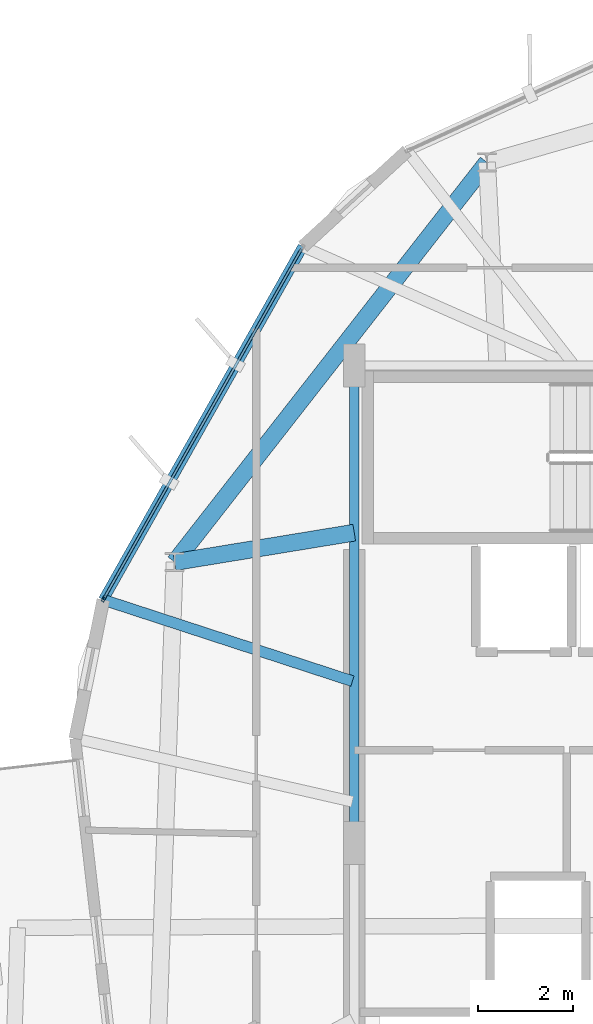
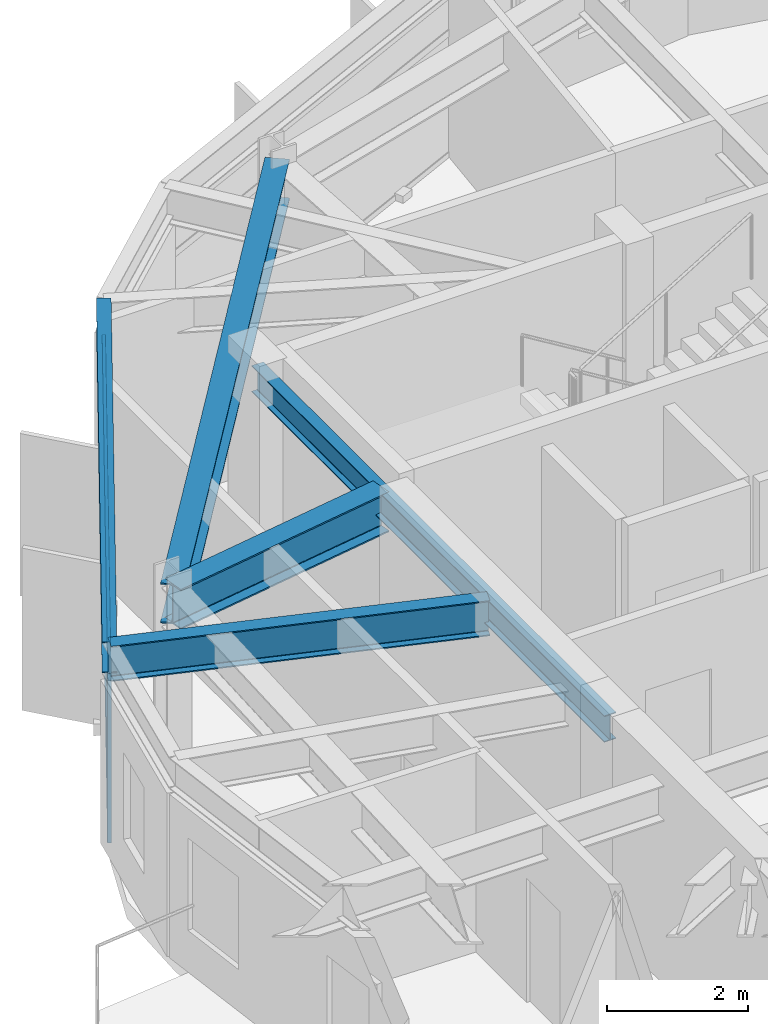
# One storey, part 8 of 23: 5 beams, 4 members, 1 element without a shape of its own.
"""IFC4 building model written with IfcOpenShell, lengths in metres."""

from ifc_helpers import new_model, si_unit, direction, frame, origin, origin_2d, place, context, subcontext, project, spatial, hollow_rectangle, i_section, extrude, material, layer, layer_set, material_profile, profile_set, type_object, element, aggregate, save


model = new_model("IFC4")

# Units and contexts
model_context = context("Model", 3, precision=1e-05, world=origin(), true_north=direction((0.0, 1.0)))
body_context = subcontext(model_context, "Body", "Model", "MODEL_VIEW")
ifc_project = project(units=[si_unit("LENGTHUNIT", "METRE"), si_unit("AREAUNIT", "SQUARE_METRE"), si_unit("VOLUMEUNIT", "CUBIC_METRE"), si_unit("PLANEANGLEUNIT", "RADIAN"), si_unit("MASSUNIT", "GRAM", prefix="KILO")], contexts=[model_context])

# Site, building, storey
site_placement = place(None, origin())
site = spatial("IfcSite", under=ifc_project, at=site_placement, CompositionType="ELEMENT")
building_placement = place(site_placement, origin())
building = spatial("IfcBuilding", under=site, at=building_placement, Name="Soratama Intermodal Tower", CompositionType="ELEMENT")
storey_placement = place(building_placement, frame((0.0, 0.0, 261.25)))
storey = spatial("IfcBuildingStorey", under=building, at=storey_placement, Name="L66", CompositionType="ELEMENT", Elevation=261.25)

# Beams
ifc_material_1 = material(Name="Structural steel ASTM A992 Grade 50", Category="steel")
ifc_material_profile_1 = material_profile(ifc_material_1, i_section(OverallWidth=0.19091796875, OverallDepth=0.4599609375, WebThickness=0.010009765625, FlangeThickness=0.01611328125, FilletRadius=0.010986328125, at=origin_2d()), Name="W18X55")
ifc_profile_set_1 = profile_set([ifc_material_profile_1], Name="Structural steel ASTM A992 Grade 50")
beam_type_1 = type_object("IfcBeamType", Name="BM-FLR-W18X55", PredefinedType="BEAM", material=ifc_profile_set_1)
beam_1_placement = place(storey_placement, frame((32.60009765625, 35.0, 3.219970703125), z_axis=(0.0, -1.0, 0.0), x_axis=(1.0, 0.0, 0.0)))
element("IfcBeam", 1, at=beam_1_placement, inside=storey, type_object=beam_type_1, Name="BM-L66-CRING-08", PredefinedType="BEAM", context=body_context, shape_type="SweptSolid", body=[
    extrude(i_section(OverallWidth=0.19091796875, OverallDepth=0.4599609375, WebThickness=0.010009765625, FlangeThickness=0.01611328125, FilletRadius=0.010986328125, at=origin_2d()), origin(), (0.0, 0.0, 1.0), 10.0),
])
ifc_material_2 = material(Name="Structural steel ASTM A992 Grade 50", Category="steel")
ifc_material_profile_2 = material_profile(ifc_material_2, i_section(OverallWidth=0.35498046875, OverallDepth=0.695068359375, WebThickness=0.015380859375, FlangeThickness=0.02490234375, FilletRadius=0.01611328125, at=origin_2d()), Name="W27X146")
ifc_profile_set_2 = profile_set([ifc_material_profile_2], Name="Structural steel ASTM A992 Grade 50")
beam_type_2 = type_object("IfcBeamType", Name="BM-RING-W27X146", PredefinedType="BEAM", material=ifc_profile_set_2)
beam_2_placement = place(storey_placement, frame((35.382080078125, 39.259033203125, 3.1025390625), z_axis=(-0.6157278291, -0.787958907858, 0.0), x_axis=(0.787958907858, -0.6157278291, 0.0)))
element("IfcBeam", 2, at=beam_2_placement, inside=storey, type_object=beam_type_2, Name="BM-L66-RING-04", PredefinedType="BEAM", context=body_context, shape_type="SweptSolid", body=[
    extrude(i_section(OverallWidth=0.35498046875, OverallDepth=0.695068359375, WebThickness=0.015380859375, FlangeThickness=0.02490234375, FilletRadius=0.01611328125, at=origin_2d()), origin(), (0.0, 0.0, 1.0), 10.6298828125),
])
beam_3_placement = place(storey_placement, frame((32.60009765625, 31.5, 3.1025390625), z_axis=(-0.986826492219, -0.161782181513, 0.0), x_axis=(0.161782181513, -0.986826492219, 0.0)))
element("IfcBeam", 3, at=beam_3_placement, inside=storey, type_object=beam_type_2, Name="BM-L66-RAD-05", PredefinedType="BEAM", context=body_context, shape_type="SweptSolid", body=[
    extrude(i_section(OverallWidth=0.35498046875, OverallDepth=0.695068359375, WebThickness=0.015380859375, FlangeThickness=0.02490234375, FilletRadius=0.01611328125, at=origin_2d()), origin(), (0.0, 0.0, 1.0), 3.8134765625),
])
ifc_material_3 = material(Name="Structural steel ASTM A992 Grade 50", Category="steel")
ifc_material_profile_3 = material_profile(ifc_material_3, i_section(OverallWidth=0.2099609375, OverallDepth=0.537109375, WebThickness=0.010986328125, FlangeThickness=0.017333984375, FilletRadius=0.012939453125, at=origin_2d()), Name="W21X68")
ifc_profile_set_3 = profile_set([ifc_material_profile_3], Name="Structural steel ASTM A992 Grade 50")
beam_type_3 = type_object("IfcBeamType", Name="BM-SPN-W21X68", PredefinedType="SPANDREL", material=ifc_profile_set_3)
beam_4_placement = place(storey_placement, frame((31.52197265625, 37.493896484375, 3.181396484375), z_axis=(-0.491774234703, -0.870722746965, 0.0), x_axis=(0.870722746965, -0.491774234703, 0.0)))
element("IfcBeam", 4, at=beam_4_placement, inside=storey, type_object=beam_type_3, Name="BS-L66-F03", PredefinedType="SPANDREL", context=body_context, shape_type="SweptSolid", body=[
    extrude(i_section(OverallWidth=0.2099609375, OverallDepth=0.537109375, WebThickness=0.010986328125, FlangeThickness=0.017333984375, FilletRadius=0.012939453125, at=origin_2d()), origin(), (0.0, 0.0, 1.0), 8.499755859375),
])
ifc_material_4 = material(Name="Structural steel ASTM A992 Grade 50", Category="steel")
ifc_material_profile_4 = material_profile(ifc_material_4, i_section(OverallWidth=0.22900390625, OverallDepth=0.612060546875, WebThickness=0.011962890625, FlangeThickness=0.01953125, FilletRadius=0.012939453125, at=origin_2d()), Name="W24X84")
ifc_profile_set_4 = profile_set([ifc_material_profile_4], Name="Structural steel ASTM A992 Grade 50")
beam_type_4 = type_object("IfcBeamType", Name="BM-TIE-W24X84", PredefinedType="BEAM", material=ifc_profile_set_4)
beam_5_placement = place(storey_placement, frame((32.56201171875, 28.387939453125, 3.14404296875), z_axis=(-0.950573324613, 0.310500168332, 0.0), x_axis=(-0.310500168332, -0.950573324613, 0.0)))
element("IfcBeam", 5, at=beam_5_placement, inside=storey, type_object=beam_type_4, Name="BM-L66-TIE1-03", PredefinedType="BEAM", context=body_context, shape_type="SweptSolid", body=[
    extrude(i_section(OverallWidth=0.22900390625, OverallDepth=0.612060546875, WebThickness=0.011962890625, FlangeThickness=0.01953125, FilletRadius=0.012939453125, at=origin_2d()), origin(), (0.0, 0.0, 1.0), 5.491455078125),
])

# Curtain wall, members
ifc_material_5 = material(Name="Double-glazed aluminium curtain wall", Category="aluminium")
ifc_layer = layer(ifc_material_5, 0.159912109375)
ifc_layer_set = layer_set([ifc_layer], Name="Double-glazed aluminium curtain wall")
curtain_wall_type = type_object("IfcCurtainWallType", Name="CW-SYS-5", PredefinedType="NOTDEFINED", material=ifc_layer_set)
curtain_wall_placement = place(storey_placement, origin())
curtain_wall = element("IfcCurtainWall", 6, at=curtain_wall_placement, inside=storey, type_object=curtain_wall_type, Name="L66 Faceted Curtain Wall F03", PredefinedType="NOTDEFINED")
ifc_material_6 = material(Name="Anodised aluminium AA 6063-T6", Category="aluminium")
ifc_material_profile_5 = material_profile(ifc_material_6, hollow_rectangle(XDim=0.06494140625, YDim=0.139892578125, WallThickness=0.0048828125, InnerFilletRadius=0.0048828125, OuterFilletRadius=0.010009765625, at=origin_2d()), Name="CWM140X65X5")
ifc_profile_set_5 = profile_set([ifc_material_profile_5], Name="Anodised aluminium AA 6063-T6")
member_type_1 = type_object("IfcMemberType", Name="MT-CWM-5", PredefinedType="MULLION", material=ifc_profile_set_5)
member_1_placement = place(storey_placement, frame((27.3564453125, 30.119384765625, 0.0), z_axis=(0.0, 0.0, 1.0), x_axis=(0.870696906053, -0.491819985146, 0.0)))
member_1 = element("IfcMember", 7, at=member_1_placement, type_object=member_type_1, Name="CW-5 mullion 2", PredefinedType="MULLION", context=body_context, shape_type="SweptSolid", body=[
    extrude(hollow_rectangle(XDim=0.06494140625, YDim=0.139892578125, WallThickness=0.0048828125, InnerFilletRadius=0.0048828125, OuterFilletRadius=0.010009765625, at=origin_2d()), origin(), (0.0, 0.0, 1.0), 2.8291015625),
])
ifc_material_7 = material(Name="Anodised aluminium AA 6063-T6", Category="aluminium")
ifc_material_profile_6 = material_profile(ifc_material_7, hollow_rectangle(XDim=0.06005859375, YDim=0.1298828125, WallThickness=0.0048828125, InnerFilletRadius=0.0048828125, OuterFilletRadius=0.010009765625, at=origin_2d()), Name="CWT130X60X5")
ifc_profile_set_6 = profile_set([ifc_material_profile_6], Name="Anodised aluminium AA 6063-T6")
member_type_2 = type_object("IfcMemberType", Name="TT-CWT-2", PredefinedType="USERDEFINED", material=ifc_profile_set_6)
member_2_placement = place(storey_placement, frame((31.49267578125, 37.441650390625, 0.030029296875), z_axis=(-0.491824911906, -0.870694123116, 0.0), x_axis=(0.870694123116, -0.491824911906, 0.0)))
member_2 = element("IfcMember", 8, at=member_2_placement, type_object=member_type_2, Name="CW-5 transom 1.1", ObjectType="TRANSOM", PredefinedType="USERDEFINED", context=body_context, shape_type="SweptSolid", body=[
    extrude(hollow_rectangle(XDim=0.06005859375, YDim=0.1298828125, WallThickness=0.0048828125, InnerFilletRadius=0.0048828125, OuterFilletRadius=0.010009765625, at=origin_2d()), origin(), (0.0, 0.0, 1.0), 8.379638671875),
])
member_3_placement = place(storey_placement, frame((31.49267578125, 37.441650390625, 2.14990234375), z_axis=(-0.491824911906, -0.870694123116, 0.0), x_axis=(0.870694123116, -0.491824911906, 0.0)))
member_3 = element("IfcMember", 9, at=member_3_placement, type_object=member_type_2, Name="CW-5 transom 1.2", ObjectType="TRANSOM", PredefinedType="USERDEFINED", context=body_context, shape_type="SweptSolid", body=[
    extrude(hollow_rectangle(XDim=0.06005859375, YDim=0.1298828125, WallThickness=0.0048828125, InnerFilletRadius=0.0048828125, OuterFilletRadius=0.010009765625, at=origin_2d()), origin(), (0.0, 0.0, 1.0), 8.379638671875),
])
member_4_placement = place(storey_placement, frame((31.49267578125, 37.441650390625, 2.799072265625), z_axis=(-0.491824911906, -0.870694123116, 0.0), x_axis=(0.870694123116, -0.491824911906, 0.0)))
member_4 = element("IfcMember", 10, at=member_4_placement, type_object=member_type_2, Name="CW-5 transom 1.3", ObjectType="TRANSOM", PredefinedType="USERDEFINED", context=body_context, shape_type="SweptSolid", body=[
    extrude(hollow_rectangle(XDim=0.06005859375, YDim=0.1298828125, WallThickness=0.0048828125, InnerFilletRadius=0.0048828125, OuterFilletRadius=0.010009765625, at=origin_2d()), origin(), (0.0, 0.0, 1.0), 8.379638671875),
])
aggregate(curtain_wall, [member_1, member_2, member_3, member_4])

save(model, "model.ifc")
